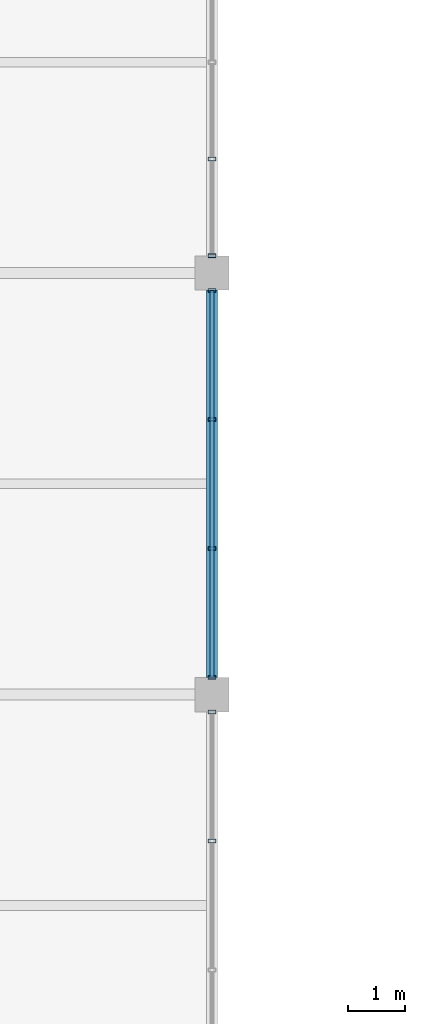
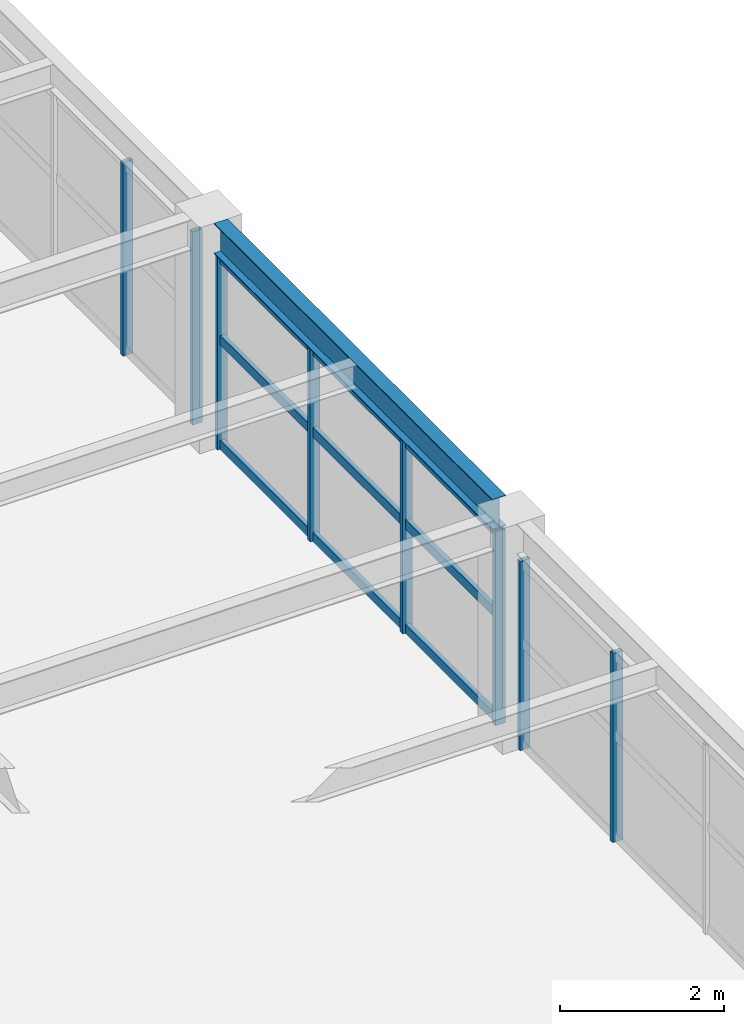
# One storey, part 50 of 121: 11 members, 1 beam, 3 elements without a shape of their own.
"""IFC4 building model written with IfcOpenShell, lengths in metres."""

from ifc_helpers import new_model, si_unit, direction, frame, origin, origin_2d, place, context, subcontext, project, spatial, hollow_rectangle, i_section, extrude, material, material_profile, profile_set, type_object, element, aggregate, save


model = new_model("IFC4")

# Units and contexts
model_context = context("Model", 3, precision=1e-05, world=origin(), true_north=direction((0.0, 1.0)))
body_context = subcontext(model_context, "Body", "Model", "MODEL_VIEW")
ifc_project = project(units=[si_unit("LENGTHUNIT", "METRE"), si_unit("AREAUNIT", "SQUARE_METRE"), si_unit("VOLUMEUNIT", "CUBIC_METRE"), si_unit("PLANEANGLEUNIT", "RADIAN"), si_unit("MASSUNIT", "GRAM", prefix="KILO")], contexts=[model_context])

# Site, building, storey
site_placement = place(None, origin())
site = spatial("IfcSite", under=ifc_project, at=site_placement, CompositionType="ELEMENT")
building_placement = place(site_placement, origin())
building = spatial("IfcBuilding", under=site, at=building_placement, Name="Cimatlan Art Gallery", CompositionType="ELEMENT")
storey_placement = place(building_placement, frame((0.0, 0.0, 10.199951171875)))
storey = spatial("IfcBuildingStorey", under=building, at=storey_placement, Name="L02", CompositionType="ELEMENT", Elevation=10.199951171875)

# Beam
ifc_material_1 = material(Name="Steel ASTM A992 Grade 50", Category="steel")
ifc_material_profile_1 = material_profile(ifc_material_1, i_section(OverallWidth=0.19091796875, OverallDepth=0.45703125, WebThickness=0.009033203125, FlangeThickness=0.014404296875, at=origin_2d()), Name="W18X50")
ifc_profile_set_1 = profile_set([ifc_material_profile_1], Name="Steel ASTM A992 Grade 50")
beam_type = type_object("IfcBeamType", Name="BM-STL-W18X50", PredefinedType="BEAM", material=ifc_profile_set_1)
beam_placement = place(storey_placement, frame((50.60009765625, 68.60009765625, 3.1416015625), z_axis=(0.0, 1.0, 0.0), x_axis=(-1.0, 0.0, 0.0)))
element("IfcBeam", 1, at=beam_placement, inside=storey, type_object=beam_type, Name="BM-Y-L02-06-09", PredefinedType="BEAM", context=body_context, shape_type="SweptSolid", body=[
    extrude(i_section(OverallWidth=0.19091796875, OverallDepth=0.45703125, WebThickness=0.009033203125, FlangeThickness=0.014404296875, at=origin_2d()), origin(), (0.0, 0.0, 1.0), 6.7998046875),
])

# Curtain wall, members
ifc_material_2 = material(Name="Anodised bronze unitised curtain wall")
curtain_wall_type_1 = type_object("IfcCurtainWallType", Name="CW-V-06792X02823-B3", PredefinedType="NOTDEFINED", material=ifc_material_2)
curtain_wall_1_placement = place(storey_placement, origin())
curtain_wall_1 = element("IfcCurtainWall", 2, at=curtain_wall_1_placement, inside=storey, type_object=curtain_wall_type_1, Name="CW-L02-05-08-E", PredefinedType="NOTDEFINED")
ifc_material_3 = material(Name="Anodised bronze aluminium 6063-T6", Category="aluminium")
ifc_material_profile_2 = material_profile(ifc_material_3, hollow_rectangle(XDim=0.06494140625, YDim=0.139892578125, WallThickness=0.00390625, at=origin_2d()), Name="ALU65X140X4")
ifc_profile_set_2 = profile_set([ifc_material_profile_2], Name="Anodised bronze aluminium 6063-T6")
member_type_1 = type_object("IfcMemberType", Name="CW-MUL-140", PredefinedType="MULLION", material=ifc_profile_set_2)
member_1_placement = place(storey_placement, frame((50.60009765625, 67.99609375, 0.0), z_axis=(0.0, 0.0, 1.0), x_axis=(0.0, 1.0, 0.0)))
member_1 = element("IfcMember", 3, at=member_1_placement, type_object=member_type_1, Name="CW-L02-05-08-E-M1", PredefinedType="MULLION", context=body_context, shape_type="SweptSolid", body=[
    extrude(hollow_rectangle(XDim=0.06494140625, YDim=0.139892578125, WallThickness=0.00390625, at=origin_2d()), origin(), (0.0, 0.0, 1.0), 2.822998046875),
])
member_2_placement = place(storey_placement, frame((50.60009765625, 65.73193359375, 0.0), z_axis=(0.0, 0.0, 1.0), x_axis=(0.0, 1.0, 0.0)))
member_2 = element("IfcMember", 4, at=member_2_placement, type_object=member_type_1, Name="CW-L02-05-08-E-M2", PredefinedType="MULLION", context=body_context, shape_type="SweptSolid", body=[
    extrude(hollow_rectangle(XDim=0.06494140625, YDim=0.139892578125, WallThickness=0.00390625, at=origin_2d()), origin(), (0.0, 0.0, 1.0), 2.822998046875),
])
aggregate(curtain_wall_1, [member_1, member_2])

curtain_wall_type_2 = type_object("IfcCurtainWallType", Name="CW-V-06792X02898-B3", PredefinedType="NOTDEFINED", material=ifc_material_2)
curtain_wall_2_placement = place(storey_placement, origin())
curtain_wall_2 = element("IfcCurtainWall", 5, at=curtain_wall_2_placement, inside=storey, type_object=curtain_wall_type_2, Name="CW-L02-05-09-E", PredefinedType="NOTDEFINED")
member_3_placement = place(storey_placement, frame((50.60009765625, 75.39599609375, 0.0), z_axis=(0.0, 0.0, 1.0), x_axis=(0.0, 1.0, 0.0)))
member_3 = element("IfcMember", 6, at=member_3_placement, type_object=member_type_1, Name="CW-L02-05-09-E-M1", PredefinedType="MULLION", context=body_context, shape_type="SweptSolid", body=[
    extrude(hollow_rectangle(XDim=0.06494140625, YDim=0.139892578125, WallThickness=0.00390625, at=origin_2d()), origin(), (0.0, 0.0, 1.0), 2.89794921875),
])
member_4_placement = place(storey_placement, frame((50.60009765625, 73.132080078125, 0.0), z_axis=(0.0, 0.0, 1.0), x_axis=(0.0, 1.0, 0.0)))
member_4 = element("IfcMember", 7, at=member_4_placement, type_object=member_type_1, Name="CW-L02-05-09-E-M2", PredefinedType="MULLION", context=body_context, shape_type="SweptSolid", body=[
    extrude(hollow_rectangle(XDim=0.06494140625, YDim=0.139892578125, WallThickness=0.00390625, at=origin_2d()), origin(), (0.0, 0.0, 1.0), 2.89794921875),
])
member_5_placement = place(storey_placement, frame((50.60009765625, 70.867919921875, 0.0), z_axis=(0.0, 0.0, 1.0), x_axis=(0.0, 1.0, 0.0)))
member_5 = element("IfcMember", 8, at=member_5_placement, type_object=member_type_1, Name="CW-L02-05-09-E-M3", PredefinedType="MULLION", context=body_context, shape_type="SweptSolid", body=[
    extrude(hollow_rectangle(XDim=0.06494140625, YDim=0.139892578125, WallThickness=0.00390625, at=origin_2d()), origin(), (0.0, 0.0, 1.0), 2.89794921875),
])
member_6_placement = place(storey_placement, frame((50.60009765625, 68.60400390625, 0.0), z_axis=(0.0, 0.0, 1.0), x_axis=(0.0, 1.0, 0.0)))
member_6 = element("IfcMember", 9, at=member_6_placement, type_object=member_type_1, Name="CW-L02-05-09-E-M4", PredefinedType="MULLION", context=body_context, shape_type="SweptSolid", body=[
    extrude(hollow_rectangle(XDim=0.06494140625, YDim=0.139892578125, WallThickness=0.00390625, at=origin_2d()), origin(), (0.0, 0.0, 1.0), 2.89794921875),
])

curtain_wall_type_3 = type_object("IfcCurtainWallType", Name="CW-V-06792X02883-B4", PredefinedType="NOTDEFINED", material=ifc_material_2)
curtain_wall_3_placement = place(storey_placement, origin())
curtain_wall_3 = element("IfcCurtainWall", 10, at=curtain_wall_3_placement, inside=storey, type_object=curtain_wall_type_3, Name="CW-L02-05-10-E", PredefinedType="NOTDEFINED")
member_7_placement = place(storey_placement, frame((50.60009765625, 77.701904296875, 0.0), z_axis=(0.0, 0.0, 1.0), x_axis=(0.0, 1.0, 0.0)))
member_7 = element("IfcMember", 11, at=member_7_placement, type_object=member_type_1, Name="CW-L02-05-10-E-M4", PredefinedType="MULLION", context=body_context, shape_type="SweptSolid", body=[
    extrude(hollow_rectangle(XDim=0.06494140625, YDim=0.139892578125, WallThickness=0.00390625, at=origin_2d()), origin(), (0.0, 0.0, 1.0), 2.883056640625),
])
member_8_placement = place(storey_placement, frame((50.60009765625, 76.00390625, 0.0), z_axis=(0.0, 0.0, 1.0), x_axis=(0.0, 1.0, 0.0)))
member_8 = element("IfcMember", 12, at=member_8_placement, type_object=member_type_1, Name="CW-L02-05-10-E-M5", PredefinedType="MULLION", context=body_context, shape_type="SweptSolid", body=[
    extrude(hollow_rectangle(XDim=0.06494140625, YDim=0.139892578125, WallThickness=0.00390625, at=origin_2d()), origin(), (0.0, 0.0, 1.0), 2.883056640625),
])
aggregate(curtain_wall_3, [member_7, member_8])

# Member
ifc_material_profile_3 = material_profile(ifc_material_3, hollow_rectangle(XDim=0.06494140625, YDim=0.139892578125, WallThickness=0.00390625, at=origin_2d()), Name="ALU65X140X4")
ifc_profile_set_3 = profile_set([ifc_material_profile_3], Name="Anodised bronze aluminium 6063-T6")
member_type_2 = type_object("IfcMemberType", Name="CW-TRN-140", PredefinedType="USERDEFINED", material=ifc_profile_set_3)
member_9_placement = place(storey_placement, frame((50.60009765625, 75.39599609375, 0.06005859375), z_axis=(0.0, -1.0, 0.0), x_axis=(1.0, 0.0, 0.0)))
member_9 = element("IfcMember", 13, at=member_9_placement, type_object=member_type_2, Name="CW-L02-05-09-E-T1", ObjectType="TRANSOM", PredefinedType="USERDEFINED", context=body_context, shape_type="SweptSolid", body=[
    extrude(hollow_rectangle(XDim=0.06494140625, YDim=0.139892578125, WallThickness=0.00390625, at=origin_2d()), origin(), (0.0, 0.0, 1.0), 6.7919921875),
])

member_10_placement = place(storey_placement, frame((50.60009765625, 75.39599609375, 1.623046875), z_axis=(0.0, -1.0, 0.0), x_axis=(1.0, 0.0, 0.0)))
member_10 = element("IfcMember", 14, at=member_10_placement, type_object=member_type_2, Name="CW-L02-05-09-E-T2", ObjectType="TRANSOM", PredefinedType="USERDEFINED", context=body_context, shape_type="SweptSolid", body=[
    extrude(hollow_rectangle(XDim=0.06494140625, YDim=0.139892578125, WallThickness=0.00390625, at=origin_2d()), origin(), (0.0, 0.0, 1.0), 6.7919921875),
])

member_11_placement = place(storey_placement, frame((50.60009765625, 75.39599609375, 2.838134765625), z_axis=(0.0, -1.0, 0.0), x_axis=(1.0, 0.0, 0.0)))
member_11 = element("IfcMember", 15, at=member_11_placement, type_object=member_type_2, Name="CW-L02-05-09-E-T3", ObjectType="TRANSOM", PredefinedType="USERDEFINED", context=body_context, shape_type="SweptSolid", body=[
    extrude(hollow_rectangle(XDim=0.06494140625, YDim=0.139892578125, WallThickness=0.00390625, at=origin_2d()), origin(), (0.0, 0.0, 1.0), 6.7919921875),
])

aggregate(curtain_wall_2, [member_3, member_4, member_5, member_6, member_9, member_10, member_11])

save(model, "model.ifc")
